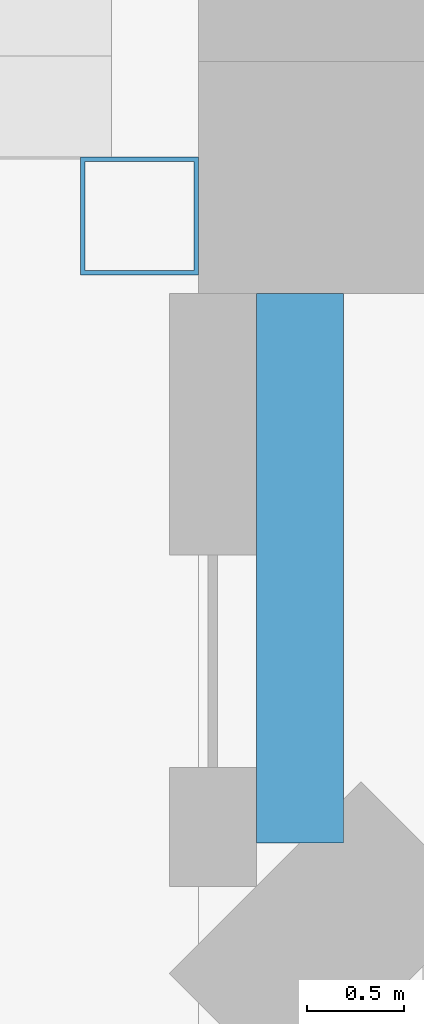
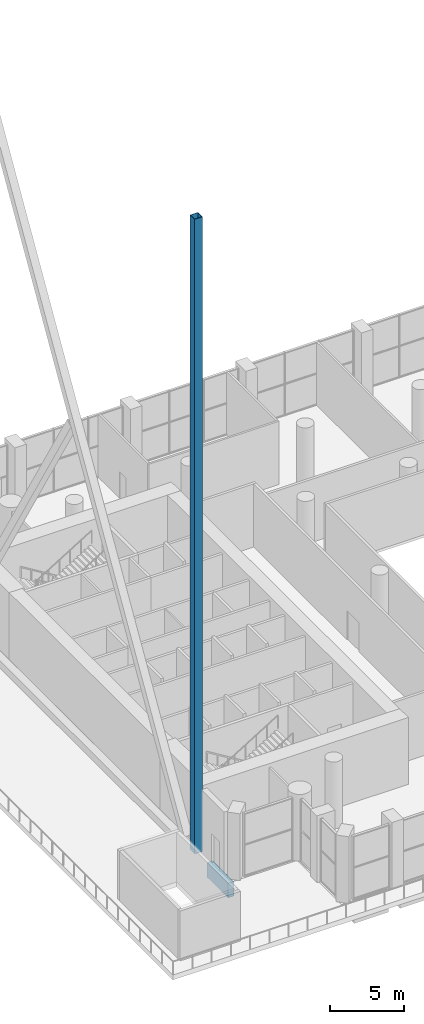
# One storey, part 3 of 26: 1 beam, 1 member.
"""IFC4 building model written with IfcOpenShell, lengths in metres."""

from ifc_helpers import new_model, si_unit, direction, frame, origin, origin_2d, place, context, subcontext, project, spatial, rectangle, hollow_rectangle, extrude, material, material_profile, profile_set, type_object, element, save


model = new_model("IFC4")

# Units and contexts
model_context = context("Model", 3, precision=1e-05, world=origin(), true_north=direction((0.0, 1.0)))
body_context = subcontext(model_context, "Body", "Model", "MODEL_VIEW")
ifc_project = project(units=[si_unit("LENGTHUNIT", "METRE"), si_unit("AREAUNIT", "SQUARE_METRE"), si_unit("VOLUMEUNIT", "CUBIC_METRE"), si_unit("PLANEANGLEUNIT", "RADIAN"), si_unit("MASSUNIT", "GRAM", prefix="KILO")], contexts=[model_context])

# Site, building, storey
site_placement = place(None, origin())
site = spatial("IfcSite", under=ifc_project, at=site_placement, CompositionType="ELEMENT")
building_placement = place(site_placement, origin())
building = spatial("IfcBuilding", under=site, at=building_placement, Name="Cypress Arch Tower", CompositionType="ELEMENT")
storey_placement = place(building_placement, frame((0.0, 0.0, 50.0)))
storey = spatial("IfcBuildingStorey", under=building, at=storey_placement, Name="L06", CompositionType="ELEMENT", Elevation=50.0)

# Beam
ifc_material_1 = material(Name="Concrete C50/60", Category="concrete")
ifc_material_profile_1 = material_profile(ifc_material_1, rectangle(XDim=0.449951171875, YDim=1.199951171875, at=origin_2d()), Name="RC 450x1200")
ifc_profile_set_1 = profile_set([ifc_material_profile_1], Name="Concrete C50/60")
beam_type = type_object("IfcBeamType", Name="Spandrel beam RC 450x1200 Concrete C50/60", PredefinedType="SPANDREL", material=ifc_profile_set_1)
beam_placement = place(storey_placement, frame((-29.47509765625, -16.0, -1.550048828125), z_axis=(0.0, -1.0, 0.0), x_axis=(1.0, 0.0, 0.0)))
element("IfcBeam", 1, at=beam_placement, inside=storey, type_object=beam_type, Name="Spandrel beam L06 BA00-0", PredefinedType="SPANDREL", context=body_context, shape_type="SweptSolid", body=[
    extrude(rectangle(XDim=0.449951171875, YDim=1.199951171875, at=origin_2d()), origin(), (0.0, 0.0, 1.0), 2.838623046875),
])

# Member
ifc_material_2 = material(Name="Steel ASTM A501 Grade B", Category="steel")
ifc_material_profile_2 = material_profile(ifc_material_2, hollow_rectangle(XDim=0.609619140625, YDim=0.609619140625, WallThickness=0.023681640625, at=origin_2d()), Name="HSS 24x24x1")
ifc_profile_set_2 = profile_set([ifc_material_profile_2], Name="Steel ASTM A501 Grade B")
member_type = type_object("IfcMemberType", Name="West bracing post HSS 24x24x1 Steel ASTM A501 Grade B", PredefinedType="POST", material=ifc_profile_set_2)
member_placement = place(storey_placement, frame((-30.3046875, -15.60009765625, 0.0), z_axis=(0.0, 0.0, 1.0), x_axis=(1.0, 0.0, 0.0)))
element("IfcMember", 2, at=member_placement, inside=storey, type_object=member_type, Name="West bracing post 1S", PredefinedType="POST", context=body_context, shape_type="SweptSolid", body=[
    extrude(hollow_rectangle(XDim=0.609619140625, YDim=0.609619140625, WallThickness=0.023681640625, at=origin_2d()), origin(), (0.0, 0.0, 1.0), 52.300048828125),
])

save(model, "model.ifc")
